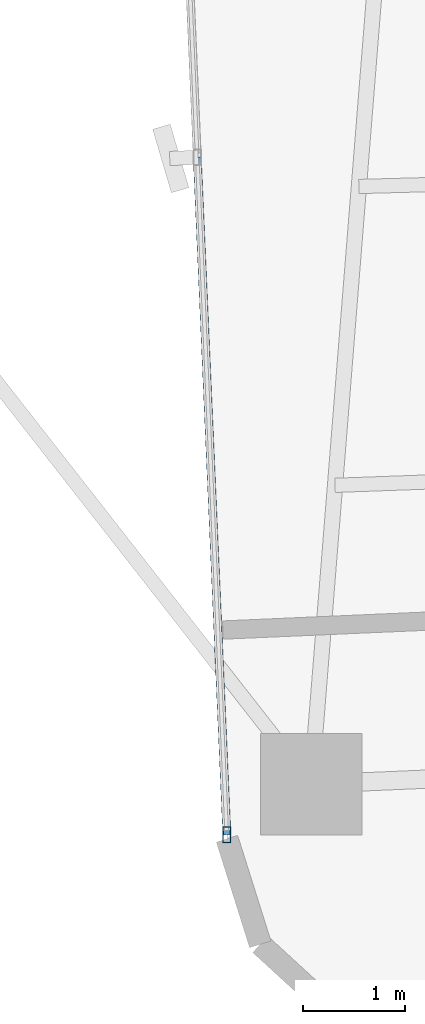
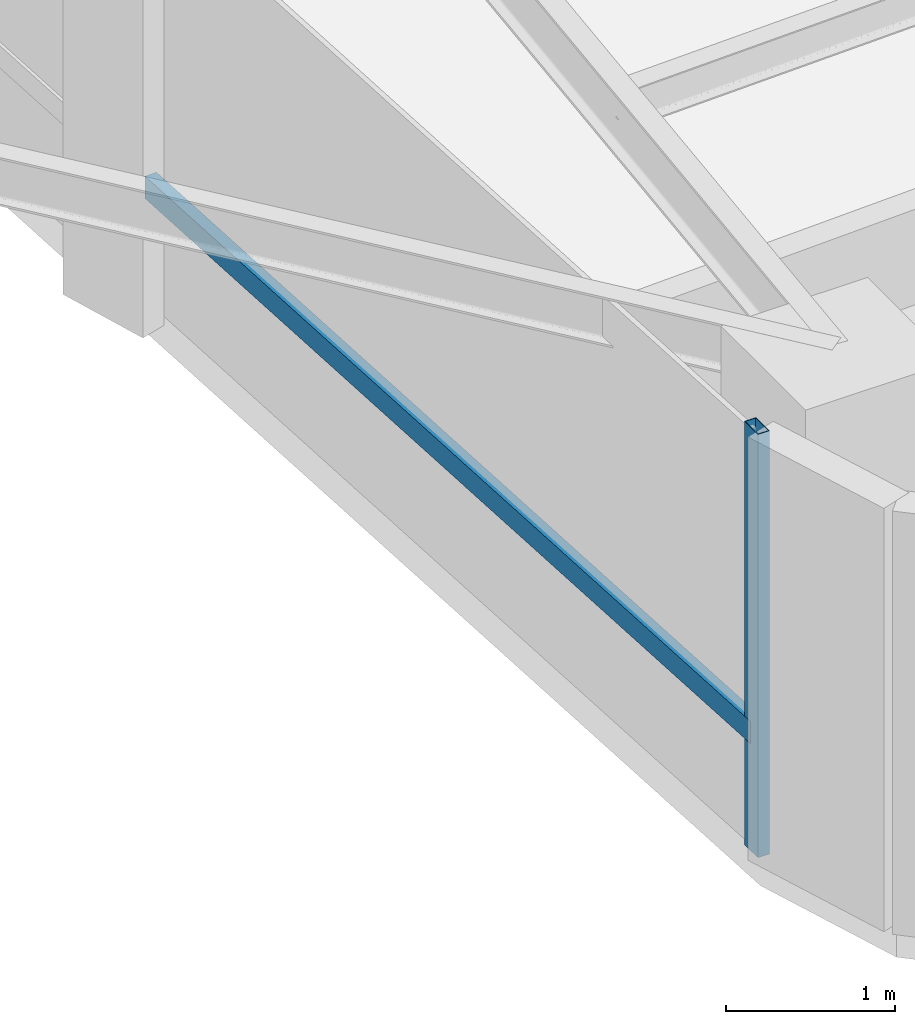
# One storey, part 2 of 27: 2 members, 1 element without a shape of its own.
"""IFC4 building model written with IfcOpenShell, lengths in metres."""

from ifc_helpers import new_model, si_unit, direction, frame, origin, origin_2d, place, context, subcontext, project, spatial, hollow_rectangle, extrude, source, transform, mapped, material, material_profile, profile_set, type_object, element, aggregate, save


model = new_model("IFC4")

# Units and contexts
model_context = context("Model", 3, precision=1e-05, world=origin(), true_north=direction((0.0, 1.0)))
body_context = subcontext(model_context, "Body", "Model", "MODEL_VIEW")
ifc_project = project(units=[si_unit("LENGTHUNIT", "METRE"), si_unit("AREAUNIT", "SQUARE_METRE"), si_unit("VOLUMEUNIT", "CUBIC_METRE"), si_unit("PLANEANGLEUNIT", "RADIAN"), si_unit("MASSUNIT", "GRAM", prefix="KILO")], contexts=[model_context])

# Site, building, storey
site_placement = place(None, origin())
site = spatial("IfcSite", under=ifc_project, at=site_placement, CompositionType="ELEMENT")
building_placement = place(site_placement, origin())
building = spatial("IfcBuilding", under=site, at=building_placement, Name="Sahyath Konkavel Grand Hotel", CompositionType="ELEMENT")
storey_placement = place(building_placement, frame((0.0, 0.0, 103.60009765625)))
storey = spatial("IfcBuildingStorey", under=building, at=storey_placement, Name="L28", CompositionType="ELEMENT", Elevation=103.60009765625)

# Curtain wall, members
ifc_material_1 = material(Name="Anodised Bronze Aluminium & Low-E Glazing", Category="aluminium")
curtain_wall_type = type_object("IfcCurtainWallType", Name="CW-ZONE2", PredefinedType="NOTDEFINED", material=ifc_material_1)
curtain_wall_placement = place(storey_placement, origin())
curtain_wall = element("IfcCurtainWall", 1, at=curtain_wall_placement, inside=storey, type_object=curtain_wall_type, Name="L28 Unitised Curtain Wall F24", PredefinedType="NOTDEFINED")
ifc_material_2 = material(Name="Anodised Bronze Aluminium", Category="aluminium")
ifc_material_profile_1 = material_profile(ifc_material_2, hollow_rectangle(XDim=0.080078125, YDim=0.159912109375, WallThickness=0.006103515625, at=origin_2d()), Name="RHS 160x80x6")
ifc_profile_set_1 = profile_set([ifc_material_profile_1], Name="Anodised Bronze Aluminium")
member_type_1 = type_object("IfcMemberType", Name="CW-TRN-160", PredefinedType="USERDEFINED", material=ifc_profile_set_1)
shared_shape_1 = source(origin(), body_context, "Body", "SweptSolid", [
    extrude(hollow_rectangle(XDim=0.080078125, YDim=0.159912109375, WallThickness=0.006103515625, at=origin_2d()), origin(), (0.0, 0.0, 1.0), 6.659912109375),
])
member_1_placement = place(storey_placement, frame((-5.895751953125, -16.272705078125, 0.849853515625), z_axis=(0.043623350741, -0.999048048529, 0.0), x_axis=(0.999048048529, 0.043623350741, 0.0)))
member_1 = element("IfcMember", 2, at=member_1_placement, type_object=member_type_1, Name="L28 Curtain Wall Transom F24-1-spandrel", ObjectType="TRANSOM", PredefinedType="USERDEFINED", context=body_context, shape_type="MappedRepresentation", body=[
    mapped(shared_shape_1, transform((0.0, 0.0, 0.0), scale=1.0)),
])
ifc_material_profile_2 = material_profile(ifc_material_2, hollow_rectangle(XDim=0.080078125, YDim=0.159912109375, WallThickness=0.006103515625, at=origin_2d()), Name="RHS 160x80x6")
ifc_profile_set_2 = profile_set([ifc_material_profile_2], Name="Anodised Bronze Aluminium")
member_type_2 = type_object("IfcMemberType", Name="CW-MUL-160", PredefinedType="MULLION", material=ifc_profile_set_2)
shared_shape_2 = source(origin(), body_context, "Body", "SweptSolid", [
    extrude(hollow_rectangle(XDim=0.080078125, YDim=0.159912109375, WallThickness=0.006103515625, at=origin_2d()), origin(), (0.0, 0.0, 1.0), 3.0498046875),
])
member_2_placement = place(storey_placement, frame((-5.605224609375, -22.92626953125, 0.0), z_axis=(0.0, 0.0, 1.0), x_axis=(1.0, 0.0, 0.0)))
member_2 = element("IfcMember", 3, at=member_2_placement, type_object=member_type_2, Name="L28 Curtain Wall Mullion F24-2", PredefinedType="MULLION", context=body_context, shape_type="MappedRepresentation", body=[
    mapped(shared_shape_2, transform((0.0, 0.0, 0.0), scale=1.0)),
])
aggregate(curtain_wall, [member_2, member_1])

save(model, "model.ifc")
